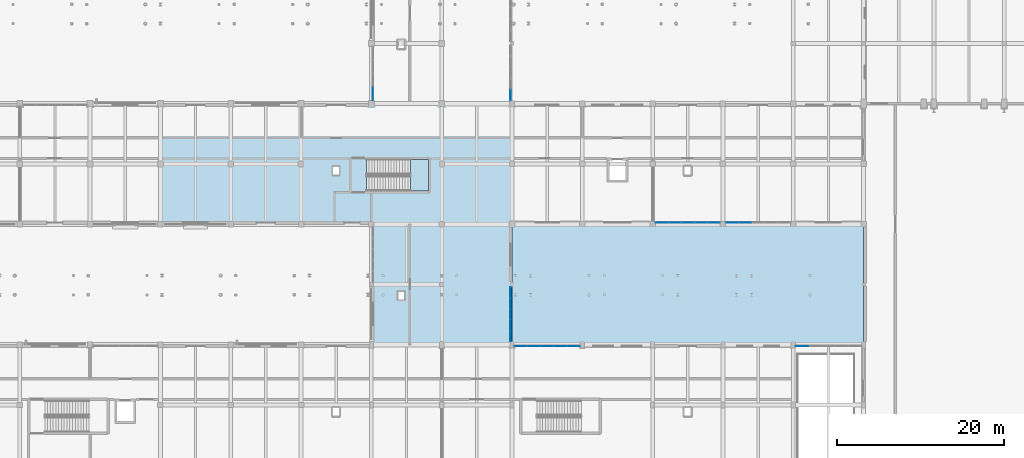
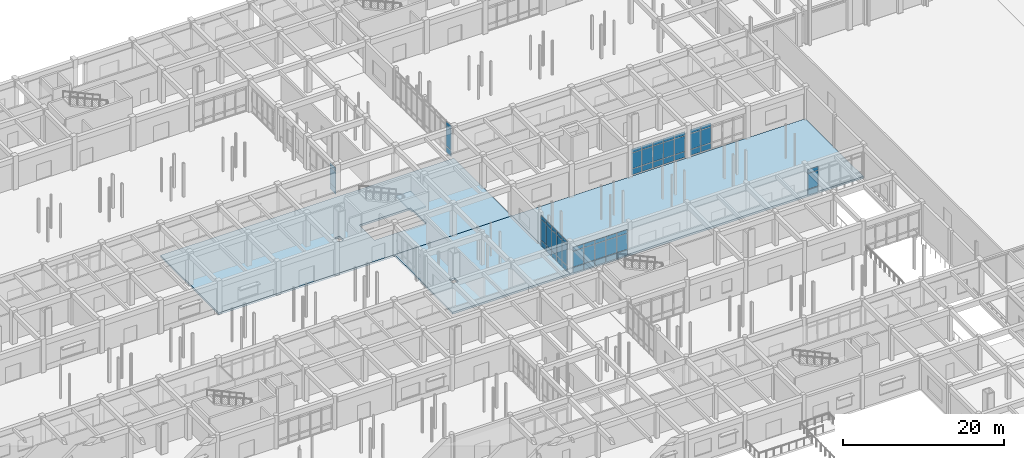
# One storey, part 68 of 121: 60 plates, 4 slabs, 8 elements without a shape of their own.
"""IFC4 building model written with IfcOpenShell, lengths in metres."""

from ifc_helpers import new_model, si_unit, direction, frame, origin, origin_2d, place, context, subcontext, project, spatial, polyline, rectangle, outline, extrude, material, layer, layer_set, type_object, element, aggregate, save


model = new_model("IFC4")

# Units and contexts
model_context = context("Model", 3, precision=1e-05, world=origin(), true_north=direction((0.0, 1.0)))
body_context = subcontext(model_context, "Body", "Model", "MODEL_VIEW")
ifc_project = project(units=[si_unit("LENGTHUNIT", "METRE"), si_unit("AREAUNIT", "SQUARE_METRE"), si_unit("VOLUMEUNIT", "CUBIC_METRE"), si_unit("PLANEANGLEUNIT", "RADIAN"), si_unit("MASSUNIT", "GRAM", prefix="KILO")], contexts=[model_context])

# Site, building, storey
site_placement = place(None, origin())
site = spatial("IfcSite", under=ifc_project, at=site_placement, CompositionType="ELEMENT")
building_placement = place(site_placement, origin())
building = spatial("IfcBuilding", under=site, at=building_placement, Name="Malvenik Polytechnic", CompositionType="ELEMENT")
storey_placement = place(building_placement, origin())
storey = spatial("IfcBuildingStorey", under=building, at=storey_placement, Name="L00", CompositionType="ELEMENT", Elevation=0.0)

# Curtain wall, plates
ifc_material_1 = material(Name="Anodised aluminium 6060-T6", Category="aluminium")
curtain_wall_type_1 = type_object("IfcCurtainWallType", Name="ARC-CW-CW-04", PredefinedType="NOTDEFINED", material=ifc_material_1)
curtain_wall_1_placement = place(storey_placement, origin())
curtain_wall_1 = element("IfcCurtainWall", 1, at=curtain_wall_1_placement, inside=storey, type_object=curtain_wall_type_1, Name="Unitised Curtain Wall CW-04 L00 #8", PredefinedType="NOTDEFINED")
ifc_material_2 = material(Name="Triple solar-control glazing 8-14-6-14-8", Category="glass")
ifc_layer_1 = layer(ifc_material_2, 0.035888671875)
ifc_layer_set_1 = layer_set([ifc_layer_1], Name="Triple solar-control glazing 8-14-6-14-8")
plate_type_1 = type_object("IfcPlateType", Name="ARC-CWP-CP-GLZ36", PredefinedType="CURTAIN_PANEL", material=ifc_layer_set_1)
plate_1_placement = place(storey_placement, frame((75.77001953125, 94.77587890625, 0.97998046875), z_axis=(0.0, 0.0, 1.0), x_axis=(0.0, 1.0, 0.0)))
plate_1 = element("IfcPlate", 2, at=plate_1_placement, type_object=plate_type_1, Name="CW-04 panel 1.2", PredefinedType="CURTAIN_PANEL", context=body_context, shape_type="SweptSolid", body=[
    extrude(rectangle(XDim=1.535888671875, YDim=0.028076171875, at=origin_2d()), origin(), (0.0, 0.0, 1.0), 2.449951171875),
])
plate_2_placement = place(storey_placement, frame((75.77001953125, 94.77587890625, 3.489990234375), z_axis=(0.0, 0.0, 1.0), x_axis=(0.0, 1.0, 0.0)))
plate_2 = element("IfcPlate", 3, at=plate_2_placement, type_object=plate_type_1, Name="CW-04 panel 1.3", PredefinedType="CURTAIN_PANEL", context=body_context, shape_type="SweptSolid", body=[
    extrude(rectangle(XDim=1.535888671875, YDim=0.028076171875, at=origin_2d()), origin(), (0.0, 0.0, 1.0), 0.56005859375),
])

curtain_wall_type_2 = type_object("IfcCurtainWallType", Name="ARC-CW-CW-13", PredefinedType="NOTDEFINED", material=ifc_material_1)
curtain_wall_2_placement = place(storey_placement, origin())
curtain_wall_2 = element("IfcCurtainWall", 4, at=curtain_wall_2_placement, inside=storey, type_object=curtain_wall_type_2, Name="Unitised Curtain Wall CW-13 L00 #13", PredefinedType="NOTDEFINED")
plate_3_placement = place(storey_placement, frame((92.22998046875, 94.60595703125, 0.97998046875), z_axis=(0.0, 0.0, 1.0), x_axis=(0.0, -1.0, 0.0)))
plate_3 = element("IfcPlate", 5, at=plate_3_placement, type_object=plate_type_1, Name="CW-13 panel 5.2", PredefinedType="CURTAIN_PANEL", context=body_context, shape_type="SweptSolid", body=[
    extrude(rectangle(XDim=1.245849609375, YDim=0.028076171875, at=origin_2d()), origin(), (0.0, 0.0, 1.0), 3.10009765625),
])
plate_4_placement = place(storey_placement, frame((92.22998046875, 94.60595703125, 4.139892578125), z_axis=(0.0, 0.0, 1.0), x_axis=(0.0, -1.0, 0.0)))
plate_4 = element("IfcPlate", 6, at=plate_4_placement, type_object=plate_type_1, Name="CW-13 panel 5.3", PredefinedType="CURTAIN_PANEL", context=body_context, shape_type="SweptSolid", body=[
    extrude(rectangle(XDim=1.245849609375, YDim=0.028076171875, at=origin_2d()), origin(), (0.0, 0.0, 1.0), 0.56005859375),
])

curtain_wall_type_3 = type_object("IfcCurtainWallType", Name="ARC-CW-CW-01", PredefinedType="NOTDEFINED", material=ifc_material_1)
curtain_wall_3_placement = place(storey_placement, origin())
curtain_wall_3 = element("IfcCurtainWall", 7, at=curtain_wall_3_placement, inside=storey, type_object=curtain_wall_type_3, Name="Unitised Curtain Wall CW-01 L00 #18", PredefinedType="NOTDEFINED")
plate_5_placement = place(storey_placement, frame((120.249267578125, 79.3701171875, 0.97998046875), z_axis=(0.0, 0.0, 1.0), x_axis=(-1.0, 0.0, 0.0)))
plate_5 = element("IfcPlate", 8, at=plate_5_placement, type_object=plate_type_1, Name="CW-01 panel 4.2", PredefinedType="CURTAIN_PANEL", context=body_context, shape_type="SweptSolid", body=[
    extrude(rectangle(XDim=1.49072265625, YDim=0.028076171875, at=origin_2d()), origin(), (0.0, 0.0, 1.0), 2.35009765625),
])
plate_6_placement = place(storey_placement, frame((120.249267578125, 79.3701171875, 3.389892578125), z_axis=(0.0, 0.0, 1.0), x_axis=(-1.0, 0.0, 0.0)))
plate_6 = element("IfcPlate", 9, at=plate_6_placement, type_object=plate_type_1, Name="CW-01 panel 4.3", PredefinedType="CURTAIN_PANEL", context=body_context, shape_type="SweptSolid", body=[
    extrude(rectangle(XDim=1.49072265625, YDim=0.028076171875, at=origin_2d()), origin(), (0.0, 0.0, 1.0), 0.56005859375),
])
plate_7_placement = place(storey_placement, frame((118.71337890625, 79.3701171875, 0.97998046875), z_axis=(0.0, 0.0, 1.0), x_axis=(-1.0, 0.0, 0.0)))
plate_7 = element("IfcPlate", 10, at=plate_7_placement, type_object=plate_type_1, Name="CW-01 panel 5.2", PredefinedType="CURTAIN_PANEL", context=body_context, shape_type="SweptSolid", body=[
    extrude(rectangle(XDim=1.460693359375, YDim=0.028076171875, at=origin_2d()), origin(), (0.0, 0.0, 1.0), 2.35009765625),
])
plate_8_placement = place(storey_placement, frame((118.71337890625, 79.3701171875, 3.389892578125), z_axis=(0.0, 0.0, 1.0), x_axis=(-1.0, 0.0, 0.0)))
plate_8 = element("IfcPlate", 11, at=plate_8_placement, type_object=plate_type_1, Name="CW-01 panel 5.3", PredefinedType="CURTAIN_PANEL", context=body_context, shape_type="SweptSolid", body=[
    extrude(rectangle(XDim=1.460693359375, YDim=0.028076171875, at=origin_2d()), origin(), (0.0, 0.0, 1.0), 0.56005859375),
])

curtain_wall_4_placement = place(storey_placement, origin())
curtain_wall_4 = element("IfcCurtainWall", 12, at=curtain_wall_4_placement, inside=storey, type_object=curtain_wall_type_3, Name="Unitised Curtain Wall CW-01 L00 #19", PredefinedType="NOTDEFINED")
plate_9_placement = place(storey_placement, frame((116.486572265625, 79.3701171875, 0.97998046875), z_axis=(0.0, 0.0, 1.0), x_axis=(-1.0, 0.0, 0.0)))
plate_9 = element("IfcPlate", 13, at=plate_9_placement, type_object=plate_type_1, Name="CW-01 panel 1.2", PredefinedType="CURTAIN_PANEL", context=body_context, shape_type="SweptSolid", body=[
    extrude(rectangle(XDim=1.460693359375, YDim=0.028076171875, at=origin_2d()), origin(), (0.0, 0.0, 1.0), 2.35009765625),
])
plate_10_placement = place(storey_placement, frame((116.486572265625, 79.3701171875, 3.389892578125), z_axis=(0.0, 0.0, 1.0), x_axis=(-1.0, 0.0, 0.0)))
plate_10 = element("IfcPlate", 14, at=plate_10_placement, type_object=plate_type_1, Name="CW-01 panel 1.3", PredefinedType="CURTAIN_PANEL", context=body_context, shape_type="SweptSolid", body=[
    extrude(rectangle(XDim=1.460693359375, YDim=0.028076171875, at=origin_2d()), origin(), (0.0, 0.0, 1.0), 0.56005859375),
])
plate_11_placement = place(storey_placement, frame((114.95068359375, 79.3701171875, 0.97998046875), z_axis=(0.0, 0.0, 1.0), x_axis=(-1.0, 0.0, 0.0)))
plate_11 = element("IfcPlate", 15, at=plate_11_placement, type_object=plate_type_1, Name="CW-01 panel 2.2", PredefinedType="CURTAIN_PANEL", context=body_context, shape_type="SweptSolid", body=[
    extrude(rectangle(XDim=1.49072265625, YDim=0.028076171875, at=origin_2d()), origin(), (0.0, 0.0, 1.0), 2.35009765625),
])
plate_12_placement = place(storey_placement, frame((114.95068359375, 79.3701171875, 3.389892578125), z_axis=(0.0, 0.0, 1.0), x_axis=(-1.0, 0.0, 0.0)))
plate_12 = element("IfcPlate", 16, at=plate_12_placement, type_object=plate_type_1, Name="CW-01 panel 2.3", PredefinedType="CURTAIN_PANEL", context=body_context, shape_type="SweptSolid", body=[
    extrude(rectangle(XDim=1.49072265625, YDim=0.028076171875, at=origin_2d()), origin(), (0.0, 0.0, 1.0), 0.56005859375),
])
plate_13_placement = place(storey_placement, frame((113.39990234375, 79.3701171875, 0.97998046875), z_axis=(0.0, 0.0, 1.0), x_axis=(-1.0, 0.0, 0.0)))
plate_13 = element("IfcPlate", 17, at=plate_13_placement, type_object=plate_type_1, Name="CW-01 panel 3.2", PredefinedType="CURTAIN_PANEL", context=body_context, shape_type="SweptSolid", body=[
    extrude(rectangle(XDim=1.49072265625, YDim=0.028076171875, at=origin_2d()), origin(), (0.0, 0.0, 1.0), 2.35009765625),
])
plate_14_placement = place(storey_placement, frame((113.39990234375, 79.3701171875, 3.389892578125), z_axis=(0.0, 0.0, 1.0), x_axis=(-1.0, 0.0, 0.0)))
plate_14 = element("IfcPlate", 18, at=plate_14_placement, type_object=plate_type_1, Name="CW-01 panel 3.3", PredefinedType="CURTAIN_PANEL", context=body_context, shape_type="SweptSolid", body=[
    extrude(rectangle(XDim=1.49072265625, YDim=0.028076171875, at=origin_2d()), origin(), (0.0, 0.0, 1.0), 0.56005859375),
])
plate_15_placement = place(storey_placement, frame((111.84912109375, 79.3701171875, 0.97998046875), z_axis=(0.0, 0.0, 1.0), x_axis=(-1.0, 0.0, 0.0)))
plate_15 = element("IfcPlate", 19, at=plate_15_placement, type_object=plate_type_1, Name="CW-01 panel 4.2", PredefinedType="CURTAIN_PANEL", context=body_context, shape_type="SweptSolid", body=[
    extrude(rectangle(XDim=1.49072265625, YDim=0.028076171875, at=origin_2d()), origin(), (0.0, 0.0, 1.0), 2.35009765625),
])
plate_16_placement = place(storey_placement, frame((111.84912109375, 79.3701171875, 3.389892578125), z_axis=(0.0, 0.0, 1.0), x_axis=(-1.0, 0.0, 0.0)))
plate_16 = element("IfcPlate", 20, at=plate_16_placement, type_object=plate_type_1, Name="CW-01 panel 4.3", PredefinedType="CURTAIN_PANEL", context=body_context, shape_type="SweptSolid", body=[
    extrude(rectangle(XDim=1.49072265625, YDim=0.028076171875, at=origin_2d()), origin(), (0.0, 0.0, 1.0), 0.56005859375),
])
plate_17_placement = place(storey_placement, frame((110.3134765625, 79.3701171875, 0.97998046875), z_axis=(0.0, 0.0, 1.0), x_axis=(-1.0, 0.0, 0.0)))
plate_17 = element("IfcPlate", 21, at=plate_17_placement, type_object=plate_type_1, Name="CW-01 panel 5.2", PredefinedType="CURTAIN_PANEL", context=body_context, shape_type="SweptSolid", body=[
    extrude(rectangle(XDim=1.460693359375, YDim=0.028076171875, at=origin_2d()), origin(), (0.0, 0.0, 1.0), 2.35009765625),
])
plate_18_placement = place(storey_placement, frame((110.3134765625, 79.3701171875, 3.389892578125), z_axis=(0.0, 0.0, 1.0), x_axis=(-1.0, 0.0, 0.0)))
plate_18 = element("IfcPlate", 22, at=plate_18_placement, type_object=plate_type_1, Name="CW-01 panel 5.3", PredefinedType="CURTAIN_PANEL", context=body_context, shape_type="SweptSolid", body=[
    extrude(rectangle(XDim=1.460693359375, YDim=0.028076171875, at=origin_2d()), origin(), (0.0, 0.0, 1.0), 0.56005859375),
])

curtain_wall_5_placement = place(storey_placement, origin())
curtain_wall_5 = element("IfcCurtainWall", 23, at=curtain_wall_5_placement, inside=storey, type_object=curtain_wall_type_2, Name="Unitised Curtain Wall CW-13 L00 #20", PredefinedType="NOTDEFINED")
plate_19_placement = place(storey_placement, frame((92.22998046875, 71.0341796875, 0.97998046875), z_axis=(0.0, 0.0, 1.0), x_axis=(0.0, -1.0, 0.0)))
plate_19 = element("IfcPlate", 24, at=plate_19_placement, type_object=plate_type_1, Name="CW-13 panel 1.2", PredefinedType="CURTAIN_PANEL", context=body_context, shape_type="SweptSolid", body=[
    extrude(rectangle(XDim=1.2158203125, YDim=0.028076171875, at=origin_2d()), origin(), (0.0, 0.0, 1.0), 3.10009765625),
])
plate_20_placement = place(storey_placement, frame((92.22998046875, 71.0341796875, 4.139892578125), z_axis=(0.0, 0.0, 1.0), x_axis=(0.0, -1.0, 0.0)))
plate_20 = element("IfcPlate", 25, at=plate_20_placement, type_object=plate_type_1, Name="CW-13 panel 1.3", PredefinedType="CURTAIN_PANEL", context=body_context, shape_type="SweptSolid", body=[
    extrude(rectangle(XDim=1.2158203125, YDim=0.028076171875, at=origin_2d()), origin(), (0.0, 0.0, 1.0), 0.56005859375),
])
plate_21_placement = place(storey_placement, frame((92.22998046875, 69.743408203125, 0.97998046875), z_axis=(0.0, 0.0, 1.0), x_axis=(0.0, -1.0, 0.0)))
plate_21 = element("IfcPlate", 26, at=plate_21_placement, type_object=plate_type_1, Name="CW-13 panel 2.2", PredefinedType="CURTAIN_PANEL", context=body_context, shape_type="SweptSolid", body=[
    extrude(rectangle(XDim=1.245849609375, YDim=0.028076171875, at=origin_2d()), origin(), (0.0, 0.0, 1.0), 3.10009765625),
])
plate_22_placement = place(storey_placement, frame((92.22998046875, 69.743408203125, 4.139892578125), z_axis=(0.0, 0.0, 1.0), x_axis=(0.0, -1.0, 0.0)))
plate_22 = element("IfcPlate", 27, at=plate_22_placement, type_object=plate_type_1, Name="CW-13 panel 2.3", PredefinedType="CURTAIN_PANEL", context=body_context, shape_type="SweptSolid", body=[
    extrude(rectangle(XDim=1.245849609375, YDim=0.028076171875, at=origin_2d()), origin(), (0.0, 0.0, 1.0), 0.56005859375),
])
plate_23_placement = place(storey_placement, frame((92.22998046875, 68.4375, 0.97998046875), z_axis=(0.0, 0.0, 1.0), x_axis=(0.0, -1.0, 0.0)))
plate_23 = element("IfcPlate", 28, at=plate_23_placement, type_object=plate_type_1, Name="CW-13 panel 3.2", PredefinedType="CURTAIN_PANEL", context=body_context, shape_type="SweptSolid", body=[
    extrude(rectangle(XDim=1.245849609375, YDim=0.028076171875, at=origin_2d()), origin(), (0.0, 0.0, 1.0), 3.10009765625),
])
plate_24_placement = place(storey_placement, frame((92.22998046875, 68.4375, 4.139892578125), z_axis=(0.0, 0.0, 1.0), x_axis=(0.0, -1.0, 0.0)))
plate_24 = element("IfcPlate", 29, at=plate_24_placement, type_object=plate_type_1, Name="CW-13 panel 3.3", PredefinedType="CURTAIN_PANEL", context=body_context, shape_type="SweptSolid", body=[
    extrude(rectangle(XDim=1.245849609375, YDim=0.028076171875, at=origin_2d()), origin(), (0.0, 0.0, 1.0), 0.56005859375),
])
plate_25_placement = place(storey_placement, frame((92.22998046875, 67.131591796875, 0.97998046875), z_axis=(0.0, 0.0, 1.0), x_axis=(0.0, -1.0, 0.0)))
plate_25 = element("IfcPlate", 30, at=plate_25_placement, type_object=plate_type_1, Name="CW-13 panel 4.2", PredefinedType="CURTAIN_PANEL", context=body_context, shape_type="SweptSolid", body=[
    extrude(rectangle(XDim=1.245849609375, YDim=0.028076171875, at=origin_2d()), origin(), (0.0, 0.0, 1.0), 3.10009765625),
])
plate_26_placement = place(storey_placement, frame((92.22998046875, 67.131591796875, 4.139892578125), z_axis=(0.0, 0.0, 1.0), x_axis=(0.0, -1.0, 0.0)))
plate_26 = element("IfcPlate", 31, at=plate_26_placement, type_object=plate_type_1, Name="CW-13 panel 4.3", PredefinedType="CURTAIN_PANEL", context=body_context, shape_type="SweptSolid", body=[
    extrude(rectangle(XDim=1.245849609375, YDim=0.028076171875, at=origin_2d()), origin(), (0.0, 0.0, 1.0), 0.56005859375),
])
plate_27_placement = place(storey_placement, frame((92.22998046875, 65.8408203125, 0.97998046875), z_axis=(0.0, 0.0, 1.0), x_axis=(0.0, -1.0, 0.0)))
plate_27 = element("IfcPlate", 32, at=plate_27_placement, type_object=plate_type_1, Name="CW-13 panel 5.2", PredefinedType="CURTAIN_PANEL", context=body_context, shape_type="SweptSolid", body=[
    extrude(rectangle(XDim=1.2158203125, YDim=0.028076171875, at=origin_2d()), origin(), (0.0, 0.0, 1.0), 3.10009765625),
])
plate_28_placement = place(storey_placement, frame((92.22998046875, 65.8408203125, 4.139892578125), z_axis=(0.0, 0.0, 1.0), x_axis=(0.0, -1.0, 0.0)))
plate_28 = element("IfcPlate", 33, at=plate_28_placement, type_object=plate_type_1, Name="CW-13 panel 5.3", PredefinedType="CURTAIN_PANEL", context=body_context, shape_type="SweptSolid", body=[
    extrude(rectangle(XDim=1.2158203125, YDim=0.028076171875, at=origin_2d()), origin(), (0.0, 0.0, 1.0), 0.56005859375),
])

curtain_wall_6_placement = place(storey_placement, origin())
curtain_wall_6 = element("IfcCurtainWall", 34, at=curtain_wall_6_placement, inside=storey, type_object=curtain_wall_type_3, Name="Unitised Curtain Wall CW-01 L00 #21", PredefinedType="NOTDEFINED")
plate_29_placement = place(storey_placement, frame((93.453369140625, 64.6298828125, 0.97998046875), z_axis=(0.0, 0.0, 1.0), x_axis=(1.0, 0.0, 0.0)))
plate_29 = element("IfcPlate", 35, at=plate_29_placement, type_object=plate_type_1, Name="CW-01 panel 1.2", PredefinedType="CURTAIN_PANEL", context=body_context, shape_type="SweptSolid", body=[
    extrude(rectangle(XDim=1.49072265625, YDim=0.028076171875, at=origin_2d()), origin(), (0.0, 0.0, 1.0), 2.35009765625),
])
plate_30_placement = place(storey_placement, frame((93.453369140625, 64.6298828125, 3.389892578125), z_axis=(0.0, 0.0, 1.0), x_axis=(1.0, 0.0, 0.0)))
plate_30 = element("IfcPlate", 36, at=plate_30_placement, type_object=plate_type_1, Name="CW-01 panel 1.3", PredefinedType="CURTAIN_PANEL", context=body_context, shape_type="SweptSolid", body=[
    extrude(rectangle(XDim=1.49072265625, YDim=0.028076171875, at=origin_2d()), origin(), (0.0, 0.0, 1.0), 0.56005859375),
])
plate_31_placement = place(storey_placement, frame((95.019287109375, 64.6298828125, 0.97998046875), z_axis=(0.0, 0.0, 1.0), x_axis=(1.0, 0.0, 0.0)))
plate_31 = element("IfcPlate", 37, at=plate_31_placement, type_object=plate_type_1, Name="CW-01 panel 2.2", PredefinedType="CURTAIN_PANEL", context=body_context, shape_type="SweptSolid", body=[
    extrude(rectangle(XDim=1.520751953125, YDim=0.028076171875, at=origin_2d()), origin(), (0.0, 0.0, 1.0), 2.35009765625),
])
plate_32_placement = place(storey_placement, frame((95.019287109375, 64.6298828125, 3.389892578125), z_axis=(0.0, 0.0, 1.0), x_axis=(1.0, 0.0, 0.0)))
plate_32 = element("IfcPlate", 38, at=plate_32_placement, type_object=plate_type_1, Name="CW-01 panel 2.3", PredefinedType="CURTAIN_PANEL", context=body_context, shape_type="SweptSolid", body=[
    extrude(rectangle(XDim=1.520751953125, YDim=0.028076171875, at=origin_2d()), origin(), (0.0, 0.0, 1.0), 0.56005859375),
])
plate_33_placement = place(storey_placement, frame((96.60009765625, 64.6298828125, 0.97998046875), z_axis=(0.0, 0.0, 1.0), x_axis=(1.0, 0.0, 0.0)))
plate_33 = element("IfcPlate", 39, at=plate_33_placement, type_object=plate_type_1, Name="CW-01 panel 3.2", PredefinedType="CURTAIN_PANEL", context=body_context, shape_type="SweptSolid", body=[
    extrude(rectangle(XDim=1.520751953125, YDim=0.028076171875, at=origin_2d()), origin(), (0.0, 0.0, 1.0), 2.35009765625),
])
plate_34_placement = place(storey_placement, frame((96.60009765625, 64.6298828125, 3.389892578125), z_axis=(0.0, 0.0, 1.0), x_axis=(1.0, 0.0, 0.0)))
plate_34 = element("IfcPlate", 40, at=plate_34_placement, type_object=plate_type_1, Name="CW-01 panel 3.3", PredefinedType="CURTAIN_PANEL", context=body_context, shape_type="SweptSolid", body=[
    extrude(rectangle(XDim=1.520751953125, YDim=0.028076171875, at=origin_2d()), origin(), (0.0, 0.0, 1.0), 0.56005859375),
])
plate_35_placement = place(storey_placement, frame((98.180908203125, 64.6298828125, 0.97998046875), z_axis=(0.0, 0.0, 1.0), x_axis=(1.0, 0.0, 0.0)))
plate_35 = element("IfcPlate", 41, at=plate_35_placement, type_object=plate_type_1, Name="CW-01 panel 4.2", PredefinedType="CURTAIN_PANEL", context=body_context, shape_type="SweptSolid", body=[
    extrude(rectangle(XDim=1.520751953125, YDim=0.028076171875, at=origin_2d()), origin(), (0.0, 0.0, 1.0), 2.35009765625),
])
plate_36_placement = place(storey_placement, frame((98.180908203125, 64.6298828125, 3.389892578125), z_axis=(0.0, 0.0, 1.0), x_axis=(1.0, 0.0, 0.0)))
plate_36 = element("IfcPlate", 42, at=plate_36_placement, type_object=plate_type_1, Name="CW-01 panel 4.3", PredefinedType="CURTAIN_PANEL", context=body_context, shape_type="SweptSolid", body=[
    extrude(rectangle(XDim=1.520751953125, YDim=0.028076171875, at=origin_2d()), origin(), (0.0, 0.0, 1.0), 0.56005859375),
])
plate_37_placement = place(storey_placement, frame((99.74658203125, 64.6298828125, 0.97998046875), z_axis=(0.0, 0.0, 1.0), x_axis=(1.0, 0.0, 0.0)))
plate_37 = element("IfcPlate", 43, at=plate_37_placement, type_object=plate_type_1, Name="CW-01 panel 5.2", PredefinedType="CURTAIN_PANEL", context=body_context, shape_type="SweptSolid", body=[
    extrude(rectangle(XDim=1.49072265625, YDim=0.028076171875, at=origin_2d()), origin(), (0.0, 0.0, 1.0), 2.35009765625),
])
plate_38_placement = place(storey_placement, frame((99.74658203125, 64.6298828125, 3.389892578125), z_axis=(0.0, 0.0, 1.0), x_axis=(1.0, 0.0, 0.0)))
plate_38 = element("IfcPlate", 44, at=plate_38_placement, type_object=plate_type_1, Name="CW-01 panel 5.3", PredefinedType="CURTAIN_PANEL", context=body_context, shape_type="SweptSolid", body=[
    extrude(rectangle(XDim=1.49072265625, YDim=0.028076171875, at=origin_2d()), origin(), (0.0, 0.0, 1.0), 0.56005859375),
])

curtain_wall_7_placement = place(storey_placement, origin())
curtain_wall_7 = element("IfcCurtainWall", 45, at=curtain_wall_7_placement, inside=storey, type_object=curtain_wall_type_3, Name="Unitised Curtain Wall CW-01 L00 #22", PredefinedType="NOTDEFINED")
plate_39_placement = place(storey_placement, frame((127.053466796875, 64.6298828125, 0.97998046875), z_axis=(0.0, 0.0, 1.0), x_axis=(1.0, 0.0, 0.0)))
plate_39 = element("IfcPlate", 46, at=plate_39_placement, type_object=plate_type_1, Name="CW-01 panel 1.2", PredefinedType="CURTAIN_PANEL", context=body_context, shape_type="SweptSolid", body=[
    extrude(rectangle(XDim=1.49072265625, YDim=0.028076171875, at=origin_2d()), origin(), (0.0, 0.0, 1.0), 2.35009765625),
])
plate_40_placement = place(storey_placement, frame((127.053466796875, 64.6298828125, 3.389892578125), z_axis=(0.0, 0.0, 1.0), x_axis=(1.0, 0.0, 0.0)))
plate_40 = element("IfcPlate", 47, at=plate_40_placement, type_object=plate_type_1, Name="CW-01 panel 1.3", PredefinedType="CURTAIN_PANEL", context=body_context, shape_type="SweptSolid", body=[
    extrude(rectangle(XDim=1.49072265625, YDim=0.028076171875, at=origin_2d()), origin(), (0.0, 0.0, 1.0), 0.56005859375),
])

# Plate
ifc_material_3 = material(Name="Insulated aluminium spandrel cassette 42mm", Category="aluminium")
ifc_layer_2 = layer(ifc_material_3, 0.0419921875)
ifc_layer_set_2 = layer_set([ifc_layer_2], Name="Insulated aluminium spandrel cassette 42mm")
plate_type_2 = type_object("IfcPlateType", Name="ARC-CWP-CP-SPN42", PredefinedType="CURTAIN_PANEL", material=ifc_layer_set_2)
plate_41_placement = place(storey_placement, frame((75.77001953125, 94.77587890625, 0.06005859375), z_axis=(0.0, 0.0, 1.0), x_axis=(0.0, 1.0, 0.0)))
plate_41 = element("IfcPlate", 48, at=plate_41_placement, type_object=plate_type_2, Name="CW-04 panel 1.1", PredefinedType="CURTAIN_PANEL", context=body_context, shape_type="SweptSolid", body=[
    extrude(rectangle(XDim=1.535888671875, YDim=0.028076171875, at=origin_2d()), origin(), (0.0, 0.0, 1.0), 0.860107421875),
])

aggregate(curtain_wall_1, [plate_41, plate_1, plate_2])

plate_42_placement = place(storey_placement, frame((92.22998046875, 94.60595703125, 0.06005859375), z_axis=(0.0, 0.0, 1.0), x_axis=(0.0, -1.0, 0.0)))
plate_42 = element("IfcPlate", 49, at=plate_42_placement, type_object=plate_type_2, Name="CW-13 panel 5.1", PredefinedType="CURTAIN_PANEL", context=body_context, shape_type="SweptSolid", body=[
    extrude(rectangle(XDim=1.245849609375, YDim=0.028076171875, at=origin_2d()), origin(), (0.0, 0.0, 1.0), 0.860107421875),
])

aggregate(curtain_wall_2, [plate_42, plate_3, plate_4])

plate_43_placement = place(storey_placement, frame((120.249267578125, 79.3701171875, 0.06005859375), z_axis=(0.0, 0.0, 1.0), x_axis=(-1.0, 0.0, 0.0)))
plate_43 = element("IfcPlate", 50, at=plate_43_placement, type_object=plate_type_2, Name="CW-01 panel 4.1", PredefinedType="CURTAIN_PANEL", context=body_context, shape_type="SweptSolid", body=[
    extrude(rectangle(XDim=1.49072265625, YDim=0.028076171875, at=origin_2d()), origin(), (0.0, 0.0, 1.0), 0.860107421875),
])

plate_44_placement = place(storey_placement, frame((118.71337890625, 79.3701171875, 0.06005859375), z_axis=(0.0, 0.0, 1.0), x_axis=(-1.0, 0.0, 0.0)))
plate_44 = element("IfcPlate", 51, at=plate_44_placement, type_object=plate_type_2, Name="CW-01 panel 5.1", PredefinedType="CURTAIN_PANEL", context=body_context, shape_type="SweptSolid", body=[
    extrude(rectangle(XDim=1.460693359375, YDim=0.028076171875, at=origin_2d()), origin(), (0.0, 0.0, 1.0), 0.860107421875),
])

aggregate(curtain_wall_3, [plate_43, plate_5, plate_6, plate_44, plate_7, plate_8])

plate_45_placement = place(storey_placement, frame((116.486572265625, 79.3701171875, 0.06005859375), z_axis=(0.0, 0.0, 1.0), x_axis=(-1.0, 0.0, 0.0)))
plate_45 = element("IfcPlate", 52, at=plate_45_placement, type_object=plate_type_2, Name="CW-01 panel 1.1", PredefinedType="CURTAIN_PANEL", context=body_context, shape_type="SweptSolid", body=[
    extrude(rectangle(XDim=1.460693359375, YDim=0.028076171875, at=origin_2d()), origin(), (0.0, 0.0, 1.0), 0.860107421875),
])

plate_46_placement = place(storey_placement, frame((114.95068359375, 79.3701171875, 0.06005859375), z_axis=(0.0, 0.0, 1.0), x_axis=(-1.0, 0.0, 0.0)))
plate_46 = element("IfcPlate", 53, at=plate_46_placement, type_object=plate_type_2, Name="CW-01 panel 2.1", PredefinedType="CURTAIN_PANEL", context=body_context, shape_type="SweptSolid", body=[
    extrude(rectangle(XDim=1.49072265625, YDim=0.028076171875, at=origin_2d()), origin(), (0.0, 0.0, 1.0), 0.860107421875),
])

plate_47_placement = place(storey_placement, frame((113.39990234375, 79.3701171875, 0.06005859375), z_axis=(0.0, 0.0, 1.0), x_axis=(-1.0, 0.0, 0.0)))
plate_47 = element("IfcPlate", 54, at=plate_47_placement, type_object=plate_type_2, Name="CW-01 panel 3.1", PredefinedType="CURTAIN_PANEL", context=body_context, shape_type="SweptSolid", body=[
    extrude(rectangle(XDim=1.49072265625, YDim=0.028076171875, at=origin_2d()), origin(), (0.0, 0.0, 1.0), 0.860107421875),
])

plate_48_placement = place(storey_placement, frame((111.84912109375, 79.3701171875, 0.06005859375), z_axis=(0.0, 0.0, 1.0), x_axis=(-1.0, 0.0, 0.0)))
plate_48 = element("IfcPlate", 55, at=plate_48_placement, type_object=plate_type_2, Name="CW-01 panel 4.1", PredefinedType="CURTAIN_PANEL", context=body_context, shape_type="SweptSolid", body=[
    extrude(rectangle(XDim=1.49072265625, YDim=0.028076171875, at=origin_2d()), origin(), (0.0, 0.0, 1.0), 0.860107421875),
])

plate_49_placement = place(storey_placement, frame((110.3134765625, 79.3701171875, 0.06005859375), z_axis=(0.0, 0.0, 1.0), x_axis=(-1.0, 0.0, 0.0)))
plate_49 = element("IfcPlate", 56, at=plate_49_placement, type_object=plate_type_2, Name="CW-01 panel 5.1", PredefinedType="CURTAIN_PANEL", context=body_context, shape_type="SweptSolid", body=[
    extrude(rectangle(XDim=1.460693359375, YDim=0.028076171875, at=origin_2d()), origin(), (0.0, 0.0, 1.0), 0.860107421875),
])

aggregate(curtain_wall_4, [plate_45, plate_9, plate_10, plate_46, plate_11, plate_12, plate_47, plate_13, plate_14, plate_48, plate_15, plate_16, plate_49, plate_17, plate_18])

plate_50_placement = place(storey_placement, frame((92.22998046875, 71.0341796875, 0.06005859375), z_axis=(0.0, 0.0, 1.0), x_axis=(0.0, -1.0, 0.0)))
plate_50 = element("IfcPlate", 57, at=plate_50_placement, type_object=plate_type_2, Name="CW-13 panel 1.1", PredefinedType="CURTAIN_PANEL", context=body_context, shape_type="SweptSolid", body=[
    extrude(rectangle(XDim=1.2158203125, YDim=0.028076171875, at=origin_2d()), origin(), (0.0, 0.0, 1.0), 0.860107421875),
])

plate_51_placement = place(storey_placement, frame((92.22998046875, 69.743408203125, 0.06005859375), z_axis=(0.0, 0.0, 1.0), x_axis=(0.0, -1.0, 0.0)))
plate_51 = element("IfcPlate", 58, at=plate_51_placement, type_object=plate_type_2, Name="CW-13 panel 2.1", PredefinedType="CURTAIN_PANEL", context=body_context, shape_type="SweptSolid", body=[
    extrude(rectangle(XDim=1.245849609375, YDim=0.028076171875, at=origin_2d()), origin(), (0.0, 0.0, 1.0), 0.860107421875),
])

plate_52_placement = place(storey_placement, frame((92.22998046875, 68.4375, 0.06005859375), z_axis=(0.0, 0.0, 1.0), x_axis=(0.0, -1.0, 0.0)))
plate_52 = element("IfcPlate", 59, at=plate_52_placement, type_object=plate_type_2, Name="CW-13 panel 3.1", PredefinedType="CURTAIN_PANEL", context=body_context, shape_type="SweptSolid", body=[
    extrude(rectangle(XDim=1.245849609375, YDim=0.028076171875, at=origin_2d()), origin(), (0.0, 0.0, 1.0), 0.860107421875),
])

plate_53_placement = place(storey_placement, frame((92.22998046875, 67.131591796875, 0.06005859375), z_axis=(0.0, 0.0, 1.0), x_axis=(0.0, -1.0, 0.0)))
plate_53 = element("IfcPlate", 60, at=plate_53_placement, type_object=plate_type_2, Name="CW-13 panel 4.1", PredefinedType="CURTAIN_PANEL", context=body_context, shape_type="SweptSolid", body=[
    extrude(rectangle(XDim=1.245849609375, YDim=0.028076171875, at=origin_2d()), origin(), (0.0, 0.0, 1.0), 0.860107421875),
])

plate_54_placement = place(storey_placement, frame((92.22998046875, 65.8408203125, 0.06005859375), z_axis=(0.0, 0.0, 1.0), x_axis=(0.0, -1.0, 0.0)))
plate_54 = element("IfcPlate", 61, at=plate_54_placement, type_object=plate_type_2, Name="CW-13 panel 5.1", PredefinedType="CURTAIN_PANEL", context=body_context, shape_type="SweptSolid", body=[
    extrude(rectangle(XDim=1.2158203125, YDim=0.028076171875, at=origin_2d()), origin(), (0.0, 0.0, 1.0), 0.860107421875),
])

aggregate(curtain_wall_5, [plate_50, plate_19, plate_20, plate_51, plate_21, plate_22, plate_52, plate_23, plate_24, plate_53, plate_25, plate_26, plate_54, plate_27, plate_28])

plate_55_placement = place(storey_placement, frame((93.453369140625, 64.6298828125, 0.06005859375), z_axis=(0.0, 0.0, 1.0), x_axis=(1.0, 0.0, 0.0)))
plate_55 = element("IfcPlate", 62, at=plate_55_placement, type_object=plate_type_2, Name="CW-01 panel 1.1", PredefinedType="CURTAIN_PANEL", context=body_context, shape_type="SweptSolid", body=[
    extrude(rectangle(XDim=1.49072265625, YDim=0.028076171875, at=origin_2d()), origin(), (0.0, 0.0, 1.0), 0.860107421875),
])

plate_56_placement = place(storey_placement, frame((95.019287109375, 64.6298828125, 0.06005859375), z_axis=(0.0, 0.0, 1.0), x_axis=(1.0, 0.0, 0.0)))
plate_56 = element("IfcPlate", 63, at=plate_56_placement, type_object=plate_type_2, Name="CW-01 panel 2.1", PredefinedType="CURTAIN_PANEL", context=body_context, shape_type="SweptSolid", body=[
    extrude(rectangle(XDim=1.520751953125, YDim=0.028076171875, at=origin_2d()), origin(), (0.0, 0.0, 1.0), 0.860107421875),
])

plate_57_placement = place(storey_placement, frame((96.60009765625, 64.6298828125, 0.06005859375), z_axis=(0.0, 0.0, 1.0), x_axis=(1.0, 0.0, 0.0)))
plate_57 = element("IfcPlate", 64, at=plate_57_placement, type_object=plate_type_2, Name="CW-01 panel 3.1", PredefinedType="CURTAIN_PANEL", context=body_context, shape_type="SweptSolid", body=[
    extrude(rectangle(XDim=1.520751953125, YDim=0.028076171875, at=origin_2d()), origin(), (0.0, 0.0, 1.0), 0.860107421875),
])

plate_58_placement = place(storey_placement, frame((98.180908203125, 64.6298828125, 0.06005859375), z_axis=(0.0, 0.0, 1.0), x_axis=(1.0, 0.0, 0.0)))
plate_58 = element("IfcPlate", 65, at=plate_58_placement, type_object=plate_type_2, Name="CW-01 panel 4.1", PredefinedType="CURTAIN_PANEL", context=body_context, shape_type="SweptSolid", body=[
    extrude(rectangle(XDim=1.520751953125, YDim=0.028076171875, at=origin_2d()), origin(), (0.0, 0.0, 1.0), 0.860107421875),
])

plate_59_placement = place(storey_placement, frame((99.74658203125, 64.6298828125, 0.06005859375), z_axis=(0.0, 0.0, 1.0), x_axis=(1.0, 0.0, 0.0)))
plate_59 = element("IfcPlate", 66, at=plate_59_placement, type_object=plate_type_2, Name="CW-01 panel 5.1", PredefinedType="CURTAIN_PANEL", context=body_context, shape_type="SweptSolid", body=[
    extrude(rectangle(XDim=1.49072265625, YDim=0.028076171875, at=origin_2d()), origin(), (0.0, 0.0, 1.0), 0.860107421875),
])

aggregate(curtain_wall_6, [plate_55, plate_29, plate_30, plate_56, plate_31, plate_32, plate_57, plate_33, plate_34, plate_58, plate_35, plate_36, plate_59, plate_37, plate_38])

plate_60_placement = place(storey_placement, frame((127.053466796875, 64.6298828125, 0.06005859375), z_axis=(0.0, 0.0, 1.0), x_axis=(1.0, 0.0, 0.0)))
plate_60 = element("IfcPlate", 67, at=plate_60_placement, type_object=plate_type_2, Name="CW-01 panel 1.1", PredefinedType="CURTAIN_PANEL", context=body_context, shape_type="SweptSolid", body=[
    extrude(rectangle(XDim=1.49072265625, YDim=0.028076171875, at=origin_2d()), origin(), (0.0, 0.0, 1.0), 0.860107421875),
])

aggregate(curtain_wall_7, [plate_60, plate_39, plate_40])

# Stair, slab
ifc_material_4 = material(Name="Concrete C35/45", Category="concrete")
stair_type = type_object("IfcStairType", Name="ARC-STR-ST-05", PredefinedType="HALF_TURN_STAIR", material=ifc_material_4)
stair_placement = place(storey_placement, origin())
stair = element("IfcStair", 68, at=stair_placement, inside=storey, type_object=stair_type, Name="L00 Escape Stair ST-05", PredefinedType="HALF_TURN_STAIR")
ifc_layer_3 = layer(ifc_material_4, 0.199951171875)
ifc_layer_set_3 = layer_set([ifc_layer_3], Name="Concrete C35/45")
slab_type_1 = type_object("IfcSlabType", Name="ARC-SLB-STLND", PredefinedType="LANDING", material=ifc_layer_set_3)
slab_1_placement = place(storey_placement, frame((0.0, 0.0, 2.35009765625)))
slab_1 = element("IfcSlab", 69, at=slab_1_placement, type_object=slab_type_1, Name="ST-05 landing 1", PredefinedType="LANDING", context=body_context, shape_type="SweptSolid", body=[
    extrude(outline(polyline([(80.280029296875, 83.14990234375), (82.39990234375, 83.14990234375), (82.39990234375, 86.949951171875), (80.280029296875, 86.949951171875), (80.280029296875, 83.14990234375)])), origin(), (0.0, 0.0, 1.0), 0.199951171875),
])
aggregate(stair, [slab_1])

# Slabs
ifc_layer_4 = layer(ifc_material_4, 0.300048828125)
ifc_layer_set_4 = layer_set([ifc_layer_4], Name="Concrete C35/45")
slab_type_2 = type_object("IfcSlabType", Name="STR-SLB-FLR-300", PredefinedType="FLOOR", material=ifc_layer_set_4)
slab_2_placement = place(storey_placement, frame((0.0, 0.0, -0.300048828125)))
element("IfcSlab", 70, at=slab_2_placement, inside=storey, type_object=slab_type_2, Name="Structural Slab L00-V2 #22", PredefinedType="FLOOR", context=body_context, shape_type="SweptSolid", body=[
    extrude(outline(polyline([(92.3798828125, 93.60009765625), (92.3798828125, 79.199951171875), (50.419921875, 79.199951171875), (50.419921875, 93.60009765625), (92.3798828125, 93.60009765625)]), holes=[polyline([(82.39990234375, 83.14990234375), (82.39990234375, 86.949951171875), (75.01806640625, 86.949951171875), (75.01806640625, 83.14990234375), (82.39990234375, 83.14990234375)]), polyline([(71.75, 86.050048828125), (71.0, 86.050048828125), (71.0, 85.10009765625), (71.75, 85.10009765625), (71.75, 86.050048828125)])]), origin(), (0.0, 0.0, 1.0), 0.300048828125),
])
slab_3_placement = place(storey_placement, frame((0.0, 0.0, -0.300048828125)))
element("IfcSlab", 71, at=slab_3_placement, inside=storey, type_object=slab_type_2, Name="Structural Slab L00-SP-C #32", PredefinedType="FLOOR", context=body_context, shape_type="SweptSolid", body=[
    extrude(outline(polyline([(75.60009765625, 79.199951171875), (92.3798828125, 79.199951171875), (92.3798828125, 64.800048828125), (75.60009765625, 64.800048828125), (75.60009765625, 79.199951171875)]), holes=[polyline([(79.550048828125, 71.14990234375), (78.800048828125, 71.14990234375), (78.800048828125, 70.199951171875), (79.550048828125, 70.199951171875), (79.550048828125, 71.14990234375)])]), origin(), (0.0, 0.0, 1.0), 0.300048828125),
])
slab_4_placement = place(storey_placement, frame((0.0, 0.0, -0.300048828125)))
element("IfcSlab", 72, at=slab_4_placement, inside=storey, type_object=slab_type_2, Name="Exterior Terrace Slab L00 #38", PredefinedType="FLOOR", context=body_context, shape_type="SweptSolid", body=[
    extrude(outline(polyline([(92.39990234375, 79.199951171875), (92.400390625, 79.199951171875), (134.3798828125, 79.199951171875), (134.3798828125, 64.800048828125), (92.400390625, 64.800048828125), (92.39990234375, 64.800048828125), (92.39990234375, 64.800537109375), (92.39990234375, 79.199462890625), (92.39990234375, 79.199951171875)])), origin(), (0.0, 0.0, 1.0), 0.300048828125),
])

save(model, "model.ifc")
